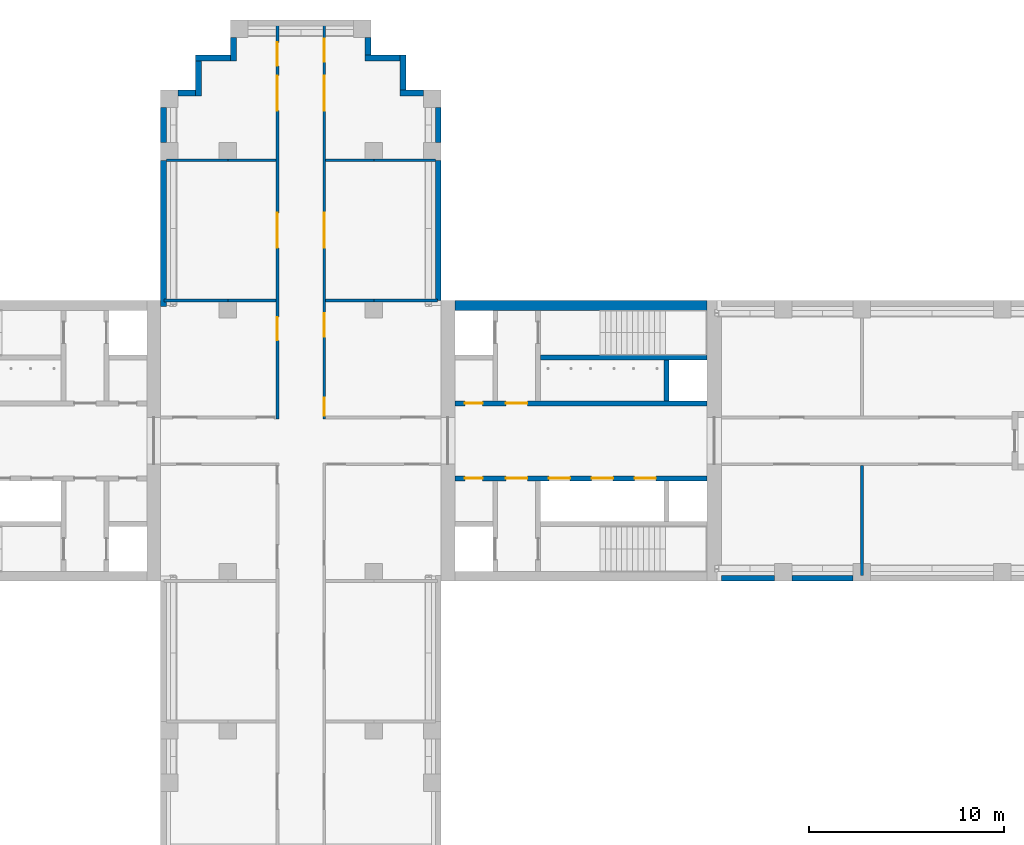
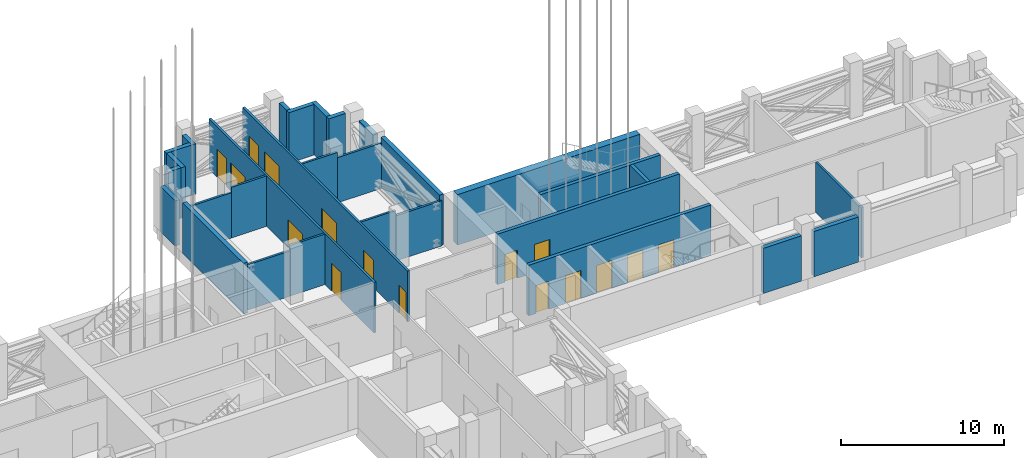
# One storey, part 7 of 22: 30 walls, 16 doors, 16 openings.
"""IFC4 building model written with IfcOpenShell, lengths in metres."""

from ifc_helpers import new_model, si_unit, direction, frame, frame_2d, origin, place, context, subcontext, project, spatial, rectangle, extrude, material, layer, layer_set, type_object, element, fill, save


model = new_model("IFC4")

# Units and contexts
model_context = context("Model", 3, precision=1e-05, world=origin(), true_north=direction((0.0, 1.0)))
body_context = subcontext(model_context, "Body", "Model", "MODEL_VIEW")
ifc_project = project(units=[si_unit("LENGTHUNIT", "METRE"), si_unit("AREAUNIT", "SQUARE_METRE"), si_unit("VOLUMEUNIT", "CUBIC_METRE"), si_unit("PLANEANGLEUNIT", "RADIAN"), si_unit("MASSUNIT", "GRAM", prefix="KILO")], contexts=[model_context])

# Site, building, storey
site_placement = place(None, origin())
site = spatial("IfcSite", under=ifc_project, at=site_placement, CompositionType="ELEMENT")
building_placement = place(site_placement, origin())
building = spatial("IfcBuilding", under=site, at=building_placement, Name="Fustian Cross Tower", CompositionType="ELEMENT")
storey_placement = place(building_placement, frame((0.0, 0.0, 111.89990234375)))
storey = spatial("IfcBuildingStorey", under=building, at=storey_placement, Name="L35", CompositionType="ELEMENT", Elevation=111.89990234375)

# Walls
ifc_material_1 = material(Name="Plasterboard on steel stud", Category="steel")
ifc_layer_1 = layer(ifc_material_1, 0.14990234375)
ifc_layer_set_1 = layer_set([ifc_layer_1], Name="Plasterboard on steel stud")
wall_type_1 = type_object("IfcWallType", Name="COMPARTMENT WALL 150 EI 60", PredefinedType="PARTITIONING", material=ifc_layer_set_1)
wall_1_placement = place(storey_placement, frame((-7.02001953125, 7.199951171875, 0.0), z_axis=(0.0, 0.0, 1.0), x_axis=(1.0, 0.0, 0.0)))
element("IfcWall", 1, at=wall_1_placement, inside=storey, type_object=wall_type_1, Name="Partition 12", PredefinedType="PARTITIONING", context=body_context, shape_type="SweptSolid", body=[
    extrude(rectangle(XDim=3.27001953125, YDim=0.14990234375, at=frame_2d((1.635009765625, 0.0))), origin(), (0.0, 0.0, 1.0), 3.400146484375),
])
wall_2_placement = place(storey_placement, frame((-6.89990234375, 14.39990234375, 0.0), z_axis=(0.0, 0.0, 1.0), x_axis=(1.0, 0.0, 0.0)))
element("IfcWall", 2, at=wall_2_placement, inside=storey, type_object=wall_type_1, Name="Partition 13", PredefinedType="PARTITIONING", context=body_context, shape_type="SweptSolid", body=[
    extrude(rectangle(XDim=3.14990234375, YDim=0.14990234375, at=frame_2d((1.574951171875, 0.0))), origin(), (0.0, 0.0, 1.0), 3.400146484375),
])

# Wall, openings, doors
wall_3_placement = place(storey_placement, frame((-1.199951171875, 1.125, 0.0), z_axis=(0.0, 0.0, 1.0), x_axis=(0.0, 1.0, 0.0)))
wall_3 = element("IfcWall", 3, at=wall_3_placement, inside=storey, type_object=wall_type_1, Name="Partition 15", PredefinedType="PARTITIONING", context=body_context, shape_type="SweptSolid", body=[
    extrude(rectangle(XDim=20.294921875, YDim=0.14990234375, at=frame_2d((10.1474609375, 0.0))), origin(), (0.0, 0.0, 1.0), 3.800048828125),
])
opening_1_placement = place(wall_3_placement, frame((4.02490234375, 0.0, 0.0)))
opening_1 = element("IfcOpeningElement", 4, at=opening_1_placement, cuts=wall_3, Name="Opening D16006", PredefinedType="OPENING", context=body_context, shape_type="SweptSolid", body=[
    extrude(rectangle(XDim=1.199951171875, YDim=2.10009765625, at=frame_2d((0.60009765625, 1.050048828125))), frame((0.0, 0.0849609375, 0.0), z_axis=(0.0, -1.0, 0.0), x_axis=(1.0, 0.0, 0.0)), (0.0, 0.0, 1.0), 0.169921875),
])
opening_2_placement = place(wall_3_placement, frame((8.77490234375, 0.0, 0.0)))
opening_2 = element("IfcOpeningElement", 5, at=opening_2_placement, cuts=wall_3, Name="Opening D16013", PredefinedType="OPENING", context=body_context, shape_type="SweptSolid", body=[
    extrude(rectangle(XDim=1.800048828125, YDim=2.10009765625, at=frame_2d((0.89990234375, 1.050048828125))), frame((0.0, 0.0849609375, 0.0), z_axis=(0.0, -1.0, 0.0), x_axis=(1.0, 0.0, 0.0)), (0.0, 0.0, 1.0), 0.169921875),
])
opening_3_placement = place(wall_3_placement, frame((15.824951171875, 0.0, 0.0)))
opening_3 = element("IfcOpeningElement", 6, at=opening_3_placement, cuts=wall_3, Name="Opening D16014", PredefinedType="OPENING", context=body_context, shape_type="SweptSolid", body=[
    extrude(rectangle(XDim=1.800048828125, YDim=2.10009765625, at=frame_2d((0.89990234375, 1.050048828125))), frame((0.0, 0.0849609375, 0.0), z_axis=(0.0, -1.0, 0.0), x_axis=(1.0, 0.0, 0.0)), (0.0, 0.0, 1.0), 0.169921875),
])
opening_4_placement = place(wall_3_placement, frame((18.125, 0.0, 0.0)))
opening_4 = element("IfcOpeningElement", 7, at=opening_4_placement, cuts=wall_3, Name="Opening D16015", PredefinedType="OPENING", context=body_context, shape_type="SweptSolid", body=[
    extrude(rectangle(XDim=1.199951171875, YDim=2.10009765625, at=frame_2d((0.60009765625, 1.050048828125))), frame((0.0, 0.0849609375, 0.0), z_axis=(0.0, -1.0, 0.0), x_axis=(1.0, 0.0, 0.0)), (0.0, 0.0, 1.0), 0.169921875),
])
ifc_material_2 = material(Name="Timber fire door set", Category="wood")
door_type_1 = type_object("IfcDoorType", Name="FIRE DOUBLE DOOR 1800 FD60S", OperationType="DOUBLE_DOOR_DOUBLE_SWING", PredefinedType="DOOR", material=ifc_material_2)
door_1_placement = place(opening_2_placement, frame((1.800048828125, 0.0, 0.0), z_axis=(0.0, 0.0, 1.0), x_axis=(-1.0, 0.0, 0.0)))
door_1 = element("IfcDoor", 8, at=door_1_placement, inside=storey, type_object=door_type_1, Name="Door D16013", OperationType="DOUBLE_DOOR_DOUBLE_SWING", OverallHeight=2.10009765625, OverallWidth=1.800048828125, PredefinedType="DOOR", context=body_context, shape_type="SweptSolid", body=[
    extrude(rectangle(XDim=1.800048828125, YDim=2.10009765625, at=frame_2d((0.89990234375, 1.050048828125))), frame((0.0, 0.02490234375, 0.0), z_axis=(0.0, -1.0, 0.0), x_axis=(1.0, 0.0, 0.0)), (0.0, 0.0, 1.0), 0.050048828125),
])
fill(opening_2, door_1)
door_2_placement = place(opening_3_placement, frame((1.800048828125, 0.0, 0.0), z_axis=(0.0, 0.0, 1.0), x_axis=(-1.0, 0.0, 0.0)))
door_2 = element("IfcDoor", 9, at=door_2_placement, inside=storey, type_object=door_type_1, Name="Door D16014", OperationType="DOUBLE_DOOR_DOUBLE_SWING", OverallHeight=2.10009765625, OverallWidth=1.800048828125, PredefinedType="DOOR", context=body_context, shape_type="SweptSolid", body=[
    extrude(rectangle(XDim=1.800048828125, YDim=2.10009765625, at=frame_2d((0.89990234375, 1.050048828125))), frame((0.0, 0.02490234375, 0.0), z_axis=(0.0, -1.0, 0.0), x_axis=(1.0, 0.0, 0.0)), (0.0, 0.0, 1.0), 0.050048828125),
])
fill(opening_3, door_2)
ifc_material_3 = material(Name="Timber fire door set", Category="wood")
door_type_2 = type_object("IfcDoorType", Name="FIRE SWING DOOR 1200 FD60S", OperationType="SINGLE_SWING_LEFT", PredefinedType="DOOR", material=ifc_material_3)
door_3_placement = place(opening_1_placement, origin())
door_3 = element("IfcDoor", 10, at=door_3_placement, inside=storey, type_object=door_type_2, Name="Door D16006", OperationType="SINGLE_SWING_RIGHT", OverallHeight=2.10009765625, OverallWidth=1.199951171875, PredefinedType="DOOR", context=body_context, shape_type="SweptSolid", body=[
    extrude(rectangle(XDim=1.199951171875, YDim=2.10009765625, at=frame_2d((0.60009765625, 1.050048828125))), frame((0.0, 0.02490234375, 0.0), z_axis=(0.0, -1.0, 0.0), x_axis=(1.0, 0.0, 0.0)), (0.0, 0.0, 1.0), 0.050048828125),
])
fill(opening_1, door_3)
door_4_placement = place(opening_4_placement, frame((1.199951171875, 0.0, 0.0), z_axis=(0.0, 0.0, 1.0), x_axis=(-1.0, 0.0, 0.0)))
door_4 = element("IfcDoor", 11, at=door_4_placement, inside=storey, type_object=door_type_2, Name="Door D16015", OperationType="SINGLE_SWING_LEFT", OverallHeight=2.10009765625, OverallWidth=1.199951171875, PredefinedType="DOOR", context=body_context, shape_type="SweptSolid", body=[
    extrude(rectangle(XDim=1.199951171875, YDim=2.10009765625, at=frame_2d((0.60009765625, 1.050048828125))), frame((0.0, 0.02490234375, 0.0), z_axis=(0.0, -1.0, 0.0), x_axis=(1.0, 0.0, 0.0)), (0.0, 0.0, 1.0), 0.050048828125),
])
fill(opening_4, door_4)

wall_4_placement = place(storey_placement, frame((1.199951171875, 1.125, 0.0), z_axis=(0.0, 0.0, 1.0), x_axis=(0.0, 1.0, 0.0)))
wall_4 = element("IfcWall", 12, at=wall_4_placement, inside=storey, type_object=wall_type_1, Name="Partition 22", PredefinedType="PARTITIONING", context=body_context, shape_type="SweptSolid", body=[
    extrude(rectangle(XDim=20.294921875, YDim=0.14990234375, at=frame_2d((10.1474609375, 0.0))), origin(), (0.0, 0.0, 1.0), 3.800048828125),
])
opening_5_placement = place(wall_4_placement, frame((0.175048828125, 0.0, 0.0)))
opening_5 = element("IfcOpeningElement", 13, at=opening_5_placement, cuts=wall_4, Name="Opening D16001", PredefinedType="OPENING", context=body_context, shape_type="SweptSolid", body=[
    extrude(rectangle(XDim=0.89990234375, YDim=2.10009765625, at=frame_2d((0.449951171875, 1.050048828125))), frame((0.0, 0.0849609375, 0.0), z_axis=(0.0, -1.0, 0.0), x_axis=(1.0, 0.0, 0.0)), (0.0, 0.0, 1.0), 0.169921875),
])
opening_6_placement = place(wall_4_placement, frame((4.22509765625, 0.0, 0.0)))
opening_6 = element("IfcOpeningElement", 14, at=opening_6_placement, cuts=wall_4, Name="Opening D16002", PredefinedType="OPENING", context=body_context, shape_type="SweptSolid", body=[
    extrude(rectangle(XDim=1.199951171875, YDim=2.10009765625, at=frame_2d((0.60009765625, 1.050048828125))), frame((0.0, 0.0849609375, 0.0), z_axis=(0.0, -1.0, 0.0), x_axis=(1.0, 0.0, 0.0)), (0.0, 0.0, 1.0), 0.169921875),
])
opening_7_placement = place(wall_4_placement, frame((8.77490234375, 0.0, 0.0)))
opening_7 = element("IfcOpeningElement", 15, at=opening_7_placement, cuts=wall_4, Name="Opening D16016", PredefinedType="OPENING", context=body_context, shape_type="SweptSolid", body=[
    extrude(rectangle(XDim=1.800048828125, YDim=2.10009765625, at=frame_2d((0.89990234375, 1.050048828125))), frame((0.0, 0.0849609375, 0.0), z_axis=(0.0, -1.0, 0.0), x_axis=(1.0, 0.0, 0.0)), (0.0, 0.0, 1.0), 0.169921875),
])
opening_8_placement = place(wall_4_placement, frame((15.824951171875, 0.0, 0.0)))
opening_8 = element("IfcOpeningElement", 16, at=opening_8_placement, cuts=wall_4, Name="Opening D16017", PredefinedType="OPENING", context=body_context, shape_type="SweptSolid", body=[
    extrude(rectangle(XDim=1.800048828125, YDim=2.10009765625, at=frame_2d((0.89990234375, 1.050048828125))), frame((0.0, 0.0849609375, 0.0), z_axis=(0.0, -1.0, 0.0), x_axis=(1.0, 0.0, 0.0)), (0.0, 0.0, 1.0), 0.169921875),
])
opening_9_placement = place(wall_4_placement, frame((18.324951171875, 0.0, 0.0)))
opening_9 = element("IfcOpeningElement", 17, at=opening_9_placement, cuts=wall_4, Name="Opening D16018", PredefinedType="OPENING", context=body_context, shape_type="SweptSolid", body=[
    extrude(rectangle(XDim=1.199951171875, YDim=2.10009765625, at=frame_2d((0.60009765625, 1.050048828125))), frame((0.0, 0.0849609375, 0.0), z_axis=(0.0, -1.0, 0.0), x_axis=(1.0, 0.0, 0.0)), (0.0, 0.0, 1.0), 0.169921875),
])
door_5_placement = place(opening_7_placement, origin())
door_5 = element("IfcDoor", 18, at=door_5_placement, inside=storey, type_object=door_type_1, Name="Door D16016", OperationType="DOUBLE_DOOR_DOUBLE_SWING", OverallHeight=2.10009765625, OverallWidth=1.800048828125, PredefinedType="DOOR", context=body_context, shape_type="SweptSolid", body=[
    extrude(rectangle(XDim=1.800048828125, YDim=2.10009765625, at=frame_2d((0.89990234375, 1.050048828125))), frame((0.0, 0.02490234375, 0.0), z_axis=(0.0, -1.0, 0.0), x_axis=(1.0, 0.0, 0.0)), (0.0, 0.0, 1.0), 0.050048828125),
])
fill(opening_7, door_5)
door_6_placement = place(opening_8_placement, origin())
door_6 = element("IfcDoor", 19, at=door_6_placement, inside=storey, type_object=door_type_1, Name="Door D16017", OperationType="DOUBLE_DOOR_DOUBLE_SWING", OverallHeight=2.10009765625, OverallWidth=1.800048828125, PredefinedType="DOOR", context=body_context, shape_type="SweptSolid", body=[
    extrude(rectangle(XDim=1.800048828125, YDim=2.10009765625, at=frame_2d((0.89990234375, 1.050048828125))), frame((0.0, 0.02490234375, 0.0), z_axis=(0.0, -1.0, 0.0), x_axis=(1.0, 0.0, 0.0)), (0.0, 0.0, 1.0), 0.050048828125),
])
fill(opening_8, door_6)
door_7_placement = place(opening_6_placement, origin())
door_7 = element("IfcDoor", 20, at=door_7_placement, inside=storey, type_object=door_type_2, Name="Door D16002", OperationType="SINGLE_SWING_RIGHT", OverallHeight=2.10009765625, OverallWidth=1.199951171875, PredefinedType="DOOR", context=body_context, shape_type="SweptSolid", body=[
    extrude(rectangle(XDim=1.199951171875, YDim=2.10009765625, at=frame_2d((0.60009765625, 1.050048828125))), frame((0.0, 0.02490234375, 0.0), z_axis=(0.0, -1.0, 0.0), x_axis=(1.0, 0.0, 0.0)), (0.0, 0.0, 1.0), 0.050048828125),
])
fill(opening_6, door_7)
door_8_placement = place(opening_9_placement, frame((1.199951171875, 0.0, 0.0), z_axis=(0.0, 0.0, 1.0), x_axis=(-1.0, 0.0, 0.0)))
door_8 = element("IfcDoor", 21, at=door_8_placement, inside=storey, type_object=door_type_2, Name="Door D16018", OperationType="SINGLE_SWING_LEFT", OverallHeight=2.10009765625, OverallWidth=1.199951171875, PredefinedType="DOOR", context=body_context, shape_type="SweptSolid", body=[
    extrude(rectangle(XDim=1.199951171875, YDim=2.10009765625, at=frame_2d((0.60009765625, 1.050048828125))), frame((0.0, 0.02490234375, 0.0), z_axis=(0.0, -1.0, 0.0), x_axis=(1.0, 0.0, 0.0)), (0.0, 0.0, 1.0), 0.050048828125),
])
fill(opening_9, door_8)
ifc_material_4 = material(Name="Timber fire door set", Category="wood")
door_type_3 = type_object("IfcDoorType", Name="FIRE SWING DOOR 900 FD30S", OperationType="SINGLE_SWING_LEFT", PredefinedType="DOOR", material=ifc_material_4)
door_9_placement = place(opening_5_placement, origin())
door_9 = element("IfcDoor", 22, at=door_9_placement, inside=storey, type_object=door_type_3, Name="Door D16001", OperationType="SINGLE_SWING_RIGHT", OverallHeight=2.10009765625, OverallWidth=0.89990234375, PredefinedType="DOOR", context=body_context, shape_type="SweptSolid", body=[
    extrude(rectangle(XDim=0.89990234375, YDim=2.10009765625, at=frame_2d((0.449951171875, 1.050048828125))), frame((0.0, 0.02490234375, 0.0), z_axis=(0.0, -1.0, 0.0), x_axis=(1.0, 0.0, 0.0)), (0.0, 0.0, 1.0), 0.050048828125),
])
fill(opening_5, door_9)

# Walls
for number, where, z_axis, x_axis, name in (
    (23, (1.27490234375, 7.199951171875, 0.0), (0.0, 0.0, 1.0), (1.0, 0.0, 0.0), "Partition 24"),
    (24, (1.27490234375, 14.39990234375, 0.0), (0.0, 0.0, 1.0), (1.0, 0.0, 0.0), "Partition 25"),
):
    element("IfcWall", number, at=place(storey_placement, frame(where, z_axis=z_axis, x_axis=x_axis)), inside=storey, type_object=wall_type_1, Name=name, PredefinedType="PARTITIONING", context=body_context, shape_type="SweptSolid", body=[
        extrude(rectangle(XDim=2.47509765625, YDim=0.14990234375, at=frame_2d((1.237548828125, 0.0))), origin(), (0.0, 0.0, 1.0), 3.800048828125),
    ])
wall_5_placement = place(storey_placement, frame((28.800048828125, -6.89990234375, 0.0), z_axis=(0.0, 0.0, 1.0), x_axis=(0.0, 1.0, 0.0)))
element("IfcWall", 25, at=wall_5_placement, inside=storey, type_object=wall_type_1, Name="Partition 28", PredefinedType="PARTITIONING", context=body_context, shape_type="SweptSolid", body=[
    extrude(rectangle(XDim=5.625, YDim=0.14990234375, at=frame_2d((2.8125, 0.0))), origin(), (0.0, 0.0, 1.0), 3.800048828125),
])
for number, where, z_axis, x_axis, name in (
    (26, (-3.75, 7.199951171875, 0.0), (0.0, 0.0, 1.0), (1.0, 0.0, 0.0), "Partition 12"),
    (27, (-3.75, 14.39990234375, 0.0), (0.0, 0.0, 1.0), (1.0, 0.0, 0.0), "Partition 13"),
):
    element("IfcWall", number, at=place(storey_placement, frame(where, z_axis=z_axis, x_axis=x_axis)), inside=storey, type_object=wall_type_1, Name=name, PredefinedType="PARTITIONING", context=body_context, shape_type="SweptSolid", body=[
        extrude(rectangle(XDim=2.47509765625, YDim=0.14990234375, at=frame_2d((1.237548828125, 0.0))), origin(), (0.0, 0.0, 1.0), 3.800048828125),
    ])
wall_6_placement = place(storey_placement, frame((3.75, 7.199951171875, 0.0), z_axis=(0.0, 0.0, 1.0), x_axis=(1.0, 0.0, 0.0)))
element("IfcWall", 28, at=wall_6_placement, inside=storey, type_object=wall_type_1, Name="Partition 24", PredefinedType="PARTITIONING", context=body_context, shape_type="SweptSolid", body=[
    extrude(rectangle(XDim=3.27001953125, YDim=0.14990234375, at=frame_2d((1.635009765625, 0.0))), origin(), (0.0, 0.0, 1.0), 3.400146484375),
])
wall_7_placement = place(storey_placement, frame((3.75, 14.39990234375, 0.0), z_axis=(0.0, 0.0, 1.0), x_axis=(1.0, 0.0, 0.0)))
element("IfcWall", 29, at=wall_7_placement, inside=storey, type_object=wall_type_1, Name="Partition 25", PredefinedType="PARTITIONING", context=body_context, shape_type="SweptSolid", body=[
    extrude(rectangle(XDim=3.14990234375, YDim=0.14990234375, at=frame_2d((1.574951171875, 0.0))), origin(), (0.0, 0.0, 1.0), 3.400146484375),
])
ifc_material_5 = material(Name="Concrete C70/85", Category="concrete")
ifc_layer_2 = layer(ifc_material_5, 0.5)
ifc_layer_set_2 = layer_set([ifc_layer_2], Name="Concrete C70/85")
wall_type_2 = type_object("IfcWallType", Name="CORE FACADE WALL 500 C70/85", PredefinedType="SHEAR", material=ifc_layer_set_2)
wall_8_placement = place(storey_placement, frame((7.89990234375, 6.949951171875, 0.0), z_axis=(0.0, 0.0, 1.0), x_axis=(1.0, 0.0, 0.0)))
element("IfcWall", 30, at=wall_8_placement, inside=storey, type_object=wall_type_2, Name="Core facade wall", PredefinedType="SHEAR", context=body_context, shape_type="SweptSolid", body=[
    extrude(rectangle(XDim=12.9501953125, YDim=0.5, at=frame_2d((6.47509765625, 0.0))), origin(), (0.0, 0.0, 1.0), 3.800048828125),
])

# Wall, openings, doors
ifc_material_6 = material(Name="Concrete C50/60", Category="concrete")
ifc_layer_3 = layer(ifc_material_6, 0.25)
ifc_layer_set_3 = layer_set([ifc_layer_3], Name="Concrete C50/60")
wall_type_3 = type_object("IfcWallType", Name="CORE LOBBY WALL 250 C50/60", PredefinedType="SHEAR", material=ifc_layer_set_3)
wall_9_placement = place(storey_placement, frame((7.89990234375, 1.925048828125, 0.0), z_axis=(0.0, 0.0, 1.0), x_axis=(1.0, 0.0, 0.0)))
wall_9 = element("IfcWall", 31, at=wall_9_placement, inside=storey, type_object=wall_type_3, Name="Core lobby wall", PredefinedType="SHEAR", context=body_context, shape_type="SweptSolid", body=[
    extrude(rectangle(XDim=12.9501953125, YDim=0.25, at=frame_2d((6.47509765625, 0.0))), origin(), (0.0, 0.0, 1.0), 3.800048828125),
])
opening_10_placement = place(wall_9_placement, frame((0.52490234375, 0.0, 0.0)))
opening_10 = element("IfcOpeningElement", 32, at=opening_10_placement, cuts=wall_9, Name="Opening CD-13-08", PredefinedType="OPENING", context=body_context, shape_type="SweptSolid", body=[
    extrude(rectangle(XDim=0.89990234375, YDim=2.10009765625, at=frame_2d((0.449951171875, 1.050048828125))), frame((0.0, 0.135009765625, 0.0), z_axis=(0.0, -1.0, 0.0), x_axis=(1.0, 0.0, 0.0)), (0.0, 0.0, 1.0), 0.27001953125),
])
opening_11_placement = place(wall_9_placement, frame((2.625, 0.0, 0.0)))
opening_11 = element("IfcOpeningElement", 33, at=opening_11_placement, cuts=wall_9, Name="Opening CD-13-10", PredefinedType="OPENING", context=body_context, shape_type="SweptSolid", body=[
    extrude(rectangle(XDim=1.10009765625, YDim=2.10009765625, at=frame_2d((0.550048828125, 1.050048828125))), frame((0.0, 0.135009765625, 0.0), z_axis=(0.0, -1.0, 0.0), x_axis=(1.0, 0.0, 0.0)), (0.0, 0.0, 1.0), 0.27001953125),
])
ifc_material_7 = material(Name="Steel", Category="steel")
door_type_4 = type_object("IfcDoorType", Name="FIRE DOOR FD60S 1100X2100", OperationType="SINGLE_SWING_LEFT", PredefinedType="DOOR", material=ifc_material_7)
door_10_placement = place(opening_11_placement, frame((1.10009765625, 0.0, 0.0), z_axis=(0.0, 0.0, 1.0), x_axis=(-1.0, 0.0, 0.0)))
door_10 = element("IfcDoor", 34, at=door_10_placement, inside=storey, type_object=door_type_4, Name="Core door CD-13-10", OperationType="SINGLE_SWING_RIGHT", OverallHeight=2.10009765625, OverallWidth=1.10009765625, PredefinedType="DOOR", context=body_context, shape_type="SweptSolid", body=[
    extrude(rectangle(XDim=1.10009765625, YDim=2.10009765625, at=frame_2d((0.550048828125, 1.050048828125))), frame((0.0, 0.02490234375, 0.0), z_axis=(0.0, -1.0, 0.0), x_axis=(1.0, 0.0, 0.0)), (0.0, 0.0, 1.0), 0.050048828125),
])
fill(opening_11, door_10)
ifc_material_8 = material(Name="Steel", Category="steel")
door_type_5 = type_object("IfcDoorType", Name="FIRE DOOR FD60S 900X2100", OperationType="SINGLE_SWING_LEFT", PredefinedType="DOOR", material=ifc_material_8)
door_11_placement = place(opening_10_placement, origin())
door_11 = element("IfcDoor", 35, at=door_11_placement, inside=storey, type_object=door_type_5, Name="Core door CD-13-08", OperationType="SINGLE_SWING_LEFT", OverallHeight=2.10009765625, OverallWidth=0.89990234375, PredefinedType="DOOR", context=body_context, shape_type="SweptSolid", body=[
    extrude(rectangle(XDim=0.89990234375, YDim=2.10009765625, at=frame_2d((0.449951171875, 1.050048828125))), frame((0.0, 0.02490234375, 0.0), z_axis=(0.0, -1.0, 0.0), x_axis=(1.0, 0.0, 0.0)), (0.0, 0.0, 1.0), 0.050048828125),
])
fill(opening_10, door_11)

wall_10_placement = place(storey_placement, frame((7.89990234375, -1.925048828125, 0.0), z_axis=(0.0, 0.0, 1.0), x_axis=(1.0, 0.0, 0.0)))
wall_10 = element("IfcWall", 36, at=wall_10_placement, inside=storey, type_object=wall_type_3, Name="Core lobby wall", PredefinedType="SHEAR", context=body_context, shape_type="SweptSolid", body=[
    extrude(rectangle(XDim=12.9501953125, YDim=0.25, at=frame_2d((6.47509765625, 0.0))), origin(), (0.0, 0.0, 1.0), 3.800048828125),
])
opening_12_placement = place(wall_10_placement, frame((4.824951171875, 0.0, 0.0)))
opening_12 = element("IfcOpeningElement", 37, at=opening_12_placement, cuts=wall_10, Name="Opening LD", PredefinedType="OPENING", context=body_context, shape_type="SweptSolid", body=[
    extrude(rectangle(XDim=1.10009765625, YDim=2.10009765625, at=frame_2d((0.550048828125, 1.050048828125))), frame((0.0, 0.135009765625, 0.0), z_axis=(0.0, -1.0, 0.0), x_axis=(1.0, 0.0, 0.0)), (0.0, 0.0, 1.0), 0.27001953125),
])
opening_13_placement = place(wall_10_placement, frame((7.02490234375, 0.0, 0.0)))
opening_13 = element("IfcOpeningElement", 38, at=opening_13_placement, cuts=wall_10, Name="Opening LD", PredefinedType="OPENING", context=body_context, shape_type="SweptSolid", body=[
    extrude(rectangle(XDim=1.10009765625, YDim=2.10009765625, at=frame_2d((0.550048828125, 1.050048828125))), frame((0.0, 0.135009765625, 0.0), z_axis=(0.0, -1.0, 0.0), x_axis=(1.0, 0.0, 0.0)), (0.0, 0.0, 1.0), 0.27001953125),
])
opening_14_placement = place(wall_10_placement, frame((9.22509765625, 0.0, 0.0)))
opening_14 = element("IfcOpeningElement", 39, at=opening_14_placement, cuts=wall_10, Name="Opening LD", PredefinedType="OPENING", context=body_context, shape_type="SweptSolid", body=[
    extrude(rectangle(XDim=1.10009765625, YDim=2.10009765625, at=frame_2d((0.550048828125, 1.050048828125))), frame((0.0, 0.135009765625, 0.0), z_axis=(0.0, -1.0, 0.0), x_axis=(1.0, 0.0, 0.0)), (0.0, 0.0, 1.0), 0.27001953125),
])
opening_15_placement = place(wall_10_placement, frame((0.52490234375, 0.0, 0.0)))
opening_15 = element("IfcOpeningElement", 40, at=opening_15_placement, cuts=wall_10, Name="Opening CD-13-09", PredefinedType="OPENING", context=body_context, shape_type="SweptSolid", body=[
    extrude(rectangle(XDim=0.89990234375, YDim=2.10009765625, at=frame_2d((0.449951171875, 1.050048828125))), frame((0.0, 0.135009765625, 0.0), z_axis=(0.0, -1.0, 0.0), x_axis=(1.0, 0.0, 0.0)), (0.0, 0.0, 1.0), 0.27001953125),
])
opening_16_placement = place(wall_10_placement, frame((2.625, 0.0, 0.0)))
opening_16 = element("IfcOpeningElement", 41, at=opening_16_placement, cuts=wall_10, Name="Opening CD-13-11", PredefinedType="OPENING", context=body_context, shape_type="SweptSolid", body=[
    extrude(rectangle(XDim=1.10009765625, YDim=2.10009765625, at=frame_2d((0.550048828125, 1.050048828125))), frame((0.0, 0.135009765625, 0.0), z_axis=(0.0, -1.0, 0.0), x_axis=(1.0, 0.0, 0.0)), (0.0, 0.0, 1.0), 0.27001953125),
])
ifc_material_9 = material(Name="Steel", Category="steel")
door_type_6 = type_object("IfcDoorType", Name="FIRE DOOR FD30S 1100X2100", OperationType="SINGLE_SWING_LEFT", PredefinedType="DOOR", material=ifc_material_9)
door_12_placement = place(opening_16_placement, frame((1.10009765625, 0.0, 0.0), z_axis=(0.0, 0.0, 1.0), x_axis=(-1.0, 0.0, 0.0)))
door_12 = element("IfcDoor", 42, at=door_12_placement, inside=storey, type_object=door_type_6, Name="Core door CD-13-11", OperationType="SINGLE_SWING_RIGHT", OverallHeight=2.10009765625, OverallWidth=1.10009765625, PredefinedType="DOOR", context=body_context, shape_type="SweptSolid", body=[
    extrude(rectangle(XDim=1.10009765625, YDim=2.10009765625, at=frame_2d((0.550048828125, 1.050048828125))), frame((0.0, 0.02490234375, 0.0), z_axis=(0.0, -1.0, 0.0), x_axis=(1.0, 0.0, 0.0)), (0.0, 0.0, 1.0), 0.050048828125),
])
fill(opening_16, door_12)
ifc_material_10 = material(Name="Steel", Category="steel")
door_type_7 = type_object("IfcDoorType", Name="FIRE DOOR FD30S 900X2100", OperationType="SINGLE_SWING_LEFT", PredefinedType="DOOR", material=ifc_material_10)
door_13_placement = place(opening_15_placement, frame((0.89990234375, 0.0, 0.0), z_axis=(0.0, 0.0, 1.0), x_axis=(-1.0, 0.0, 0.0)))
door_13 = element("IfcDoor", 43, at=door_13_placement, inside=storey, type_object=door_type_7, Name="Core door CD-13-09", OperationType="SINGLE_SWING_RIGHT", OverallHeight=2.10009765625, OverallWidth=0.89990234375, PredefinedType="DOOR", context=body_context, shape_type="SweptSolid", body=[
    extrude(rectangle(XDim=0.89990234375, YDim=2.10009765625, at=frame_2d((0.449951171875, 1.050048828125))), frame((0.0, 0.02490234375, 0.0), z_axis=(0.0, -1.0, 0.0), x_axis=(1.0, 0.0, 0.0)), (0.0, 0.0, 1.0), 0.050048828125),
])
fill(opening_15, door_13)
ifc_material_11 = material(Name="Stainless steel", Category="steel")
door_type_8 = type_object("IfcDoorType", Name="LIFT LANDING DOOR 1100X2100", OperationType="SLIDING_TO_LEFT", PredefinedType="DOOR", material=ifc_material_11)
door_14_placement = place(opening_12_placement, origin())
door_14 = element("IfcDoor", 44, at=door_14_placement, inside=storey, type_object=door_type_8, Name="Landing door LR1", OperationType="SLIDING_TO_LEFT", OverallHeight=2.10009765625, OverallWidth=1.10009765625, PredefinedType="DOOR", context=body_context, shape_type="SweptSolid", body=[
    extrude(rectangle(XDim=1.10009765625, YDim=2.10009765625, at=frame_2d((0.550048828125, 1.050048828125))), frame((0.0, 0.02490234375, 0.0), z_axis=(0.0, -1.0, 0.0), x_axis=(1.0, 0.0, 0.0)), (0.0, 0.0, 1.0), 0.050048828125),
])
fill(opening_12, door_14)
door_15_placement = place(opening_13_placement, origin())
door_15 = element("IfcDoor", 45, at=door_15_placement, inside=storey, type_object=door_type_8, Name="Landing door LR2", OperationType="SLIDING_TO_LEFT", OverallHeight=2.10009765625, OverallWidth=1.10009765625, PredefinedType="DOOR", context=body_context, shape_type="SweptSolid", body=[
    extrude(rectangle(XDim=1.10009765625, YDim=2.10009765625, at=frame_2d((0.550048828125, 1.050048828125))), frame((0.0, 0.02490234375, 0.0), z_axis=(0.0, -1.0, 0.0), x_axis=(1.0, 0.0, 0.0)), (0.0, 0.0, 1.0), 0.050048828125),
])
fill(opening_13, door_15)
door_16_placement = place(opening_14_placement, origin())
door_16 = element("IfcDoor", 46, at=door_16_placement, inside=storey, type_object=door_type_8, Name="Landing door LR3", OperationType="SLIDING_TO_LEFT", OverallHeight=2.10009765625, OverallWidth=1.10009765625, PredefinedType="DOOR", context=body_context, shape_type="SweptSolid", body=[
    extrude(rectangle(XDim=1.10009765625, YDim=2.10009765625, at=frame_2d((0.550048828125, 1.050048828125))), frame((0.0, 0.02490234375, 0.0), z_axis=(0.0, -1.0, 0.0), x_axis=(1.0, 0.0, 0.0)), (0.0, 0.0, 1.0), 0.050048828125),
])
fill(opening_14, door_16)

# Walls
ifc_material_12 = material(Name="Concrete C50/60", Category="concrete")
ifc_layer_4 = layer(ifc_material_12, 0.25)
ifc_layer_set_4 = layer_set([ifc_layer_4], Name="Concrete C50/60")
wall_type_4 = type_object("IfcWallType", Name="CORE SHAFT WALL 250 C50/60", PredefinedType="SHEAR", material=ifc_layer_set_4)
wall_11_placement = place(storey_placement, frame((12.300048828125, 4.27490234375, 0.0), z_axis=(0.0, 0.0, 1.0), x_axis=(1.0, 0.0, 0.0)))
element("IfcWall", 47, at=wall_11_placement, inside=storey, type_object=wall_type_4, Name="Core shaft wall", PredefinedType="SHEAR", context=body_context, shape_type="SweptSolid", body=[
    extrude(rectangle(XDim=8.550048828125, YDim=0.25, at=frame_2d((4.27490234375, 0.0))), origin(), (0.0, 0.0, 1.0), 3.800048828125),
])
ifc_material_13 = material(Name="Concrete C40/50", Category="concrete")
ifc_layer_5 = layer(ifc_material_13, 0.25)
ifc_layer_set_5 = layer_set([ifc_layer_5], Name="Concrete C40/50")
wall_type_5 = type_object("IfcWallType", Name="SHAFT PARTITION WALL 250 C40/50", PredefinedType="PARTITIONING", material=ifc_layer_set_5)
wall_12_placement = place(storey_placement, frame((18.77490234375, 2.050048828125, 0.0), z_axis=(0.0, 0.0, 1.0), x_axis=(0.0, 1.0, 0.0)))
element("IfcWall", 48, at=wall_12_placement, inside=storey, type_object=wall_type_5, Name="Core shaft wall", PredefinedType="PARTITIONING", context=body_context, shape_type="SweptSolid", body=[
    extrude(rectangle(XDim=2.099853515625, YDim=0.25, at=frame_2d((1.0498046875, 0.0))), origin(), (0.0, 0.0, 1.0), 3.800048828125),
])
ifc_material_14 = material(Name="Dark aluminium louvres on insulated backing wall", Category="aluminium")
ifc_layer_6 = layer(ifc_material_14, 0.300048828125)
ifc_layer_set_6 = layer_set([ifc_layer_6], Name="Dark aluminium louvres on insulated backing wall")
wall_type_6 = type_object("IfcWallType", Name="XW2 LOUVRED PLANT WALL 300", PredefinedType="SOLIDWALL", material=ifc_layer_set_6)
wall_13_placement = place(storey_placement, frame((21.60009765625, -7.050048828125, 0.0), z_axis=(0.0, 0.0, 1.0), x_axis=(1.0, 0.0, 0.0)))
element("IfcWall", 49, at=wall_13_placement, inside=storey, type_object=wall_type_6, Name="Plant louvre wall", PredefinedType="SOLIDWALL", context=body_context, shape_type="SweptSolid", body=[
    extrude(rectangle(XDim=2.699951171875, YDim=0.300048828125, at=frame_2d((1.35009765625, 0.0))), origin(), (0.0, 0.0, 1.0), 3.400146484375),
])
wall_14_placement = place(storey_placement, frame((25.199951171875, -7.050048828125, 0.0), z_axis=(0.0, 0.0, 1.0), x_axis=(1.0, 0.0, 0.0)))
element("IfcWall", 50, at=wall_14_placement, inside=storey, type_object=wall_type_6, Name="Plant louvre wall", PredefinedType="SOLIDWALL", context=body_context, shape_type="SweptSolid", body=[
    extrude(rectangle(XDim=3.150146484375, YDim=0.300048828125, at=frame_2d((1.5751953125, 0.0))), origin(), (0.0, 0.0, 1.0), 3.400146484375),
])
wall_15_placement = place(storey_placement, frame((7.050048828125, 7.199951171875, 0.0), z_axis=(0.0, 0.0, 1.0), x_axis=(0.0, 1.0, 0.0)))
element("IfcWall", 51, at=wall_15_placement, inside=storey, type_object=wall_type_6, Name="Plant louvre wall", PredefinedType="SOLIDWALL", context=body_context, shape_type="SweptSolid", body=[
    extrude(rectangle(XDim=7.199951171875, YDim=0.300048828125, at=frame_2d((3.60009765625, 0.0))), origin(), (0.0, 0.0, 1.0), 3.800048828125),
])
wall_16_placement = place(storey_placement, frame((7.050048828125, 15.300048828125, 0.0), z_axis=(0.0, 0.0, 1.0), x_axis=(0.0, 1.0, 0.0)))
element("IfcWall", 52, at=wall_16_placement, inside=storey, type_object=wall_type_6, Name="Plant louvre wall", PredefinedType="SOLIDWALL", context=body_context, shape_type="SweptSolid", body=[
    extrude(rectangle(XDim=1.800048828125, YDim=0.300048828125, at=frame_2d((0.89990234375, 0.0))), origin(), (0.0, 0.0, 1.0), 3.400146484375),
])
wall_17_placement = place(storey_placement, frame((6.300048828125, 17.85009765625, 0.0), z_axis=(0.0, 0.0, 1.0), x_axis=(-1.0, 0.0, 0.0)))
element("IfcWall", 53, at=wall_17_placement, inside=storey, type_object=wall_type_6, Name="Plant louvre wall", PredefinedType="SOLIDWALL", context=body_context, shape_type="SweptSolid", body=[
    extrude(rectangle(XDim=1.199951171875, YDim=0.300048828125, at=frame_2d((0.60009765625, 0.0))), origin(), (0.0, 0.0, 1.0), 3.800048828125),
])
for number, where, z_axis, x_axis, name in (
    (54, (5.25, 18.0, 0.0), (0.0, 0.0, 1.0), (0.0, 1.0, 0.0), "Plant louvre wall"),
    (55, (5.10009765625, 19.64990234375, 0.0), (0.0, 0.0, 1.0), (-1.0, 0.0, 0.0), "Plant louvre wall"),
):
    element("IfcWall", number, at=place(storey_placement, frame(where, z_axis=z_axis, x_axis=x_axis)), inside=storey, type_object=wall_type_6, Name=name, PredefinedType="SOLIDWALL", context=body_context, shape_type="SweptSolid", body=[
        extrude(rectangle(XDim=1.800048828125, YDim=0.300048828125, at=frame_2d((0.89990234375, 0.0))), origin(), (0.0, 0.0, 1.0), 3.800048828125),
    ])
wall_18_placement = place(storey_placement, frame((3.449951171875, 19.800048828125, 0.0), z_axis=(0.0, 0.0, 1.0), x_axis=(0.0, 1.0, 0.0)))
element("IfcWall", 56, at=wall_18_placement, inside=storey, type_object=wall_type_6, Name="Plant louvre wall", PredefinedType="SOLIDWALL", context=body_context, shape_type="SweptSolid", body=[
    extrude(rectangle(XDim=0.89990234375, YDim=0.300048828125, at=frame_2d((0.449951171875, 0.0))), origin(), (0.0, 0.0, 1.0), 3.800048828125),
])
wall_19_placement = place(storey_placement, frame((-3.449951171875, 20.699951171875, 0.0), z_axis=(0.0, 0.0, 1.0), x_axis=(0.0, -1.0, 0.0)))
element("IfcWall", 57, at=wall_19_placement, inside=storey, type_object=wall_type_6, Name="Plant louvre wall", PredefinedType="SOLIDWALL", context=body_context, shape_type="SweptSolid", body=[
    extrude(rectangle(XDim=1.199951171875, YDim=0.300048828125, at=frame_2d((0.60009765625, 0.0))), origin(), (0.0, 0.0, 1.0), 3.800048828125),
])
wall_20_placement = place(storey_placement, frame((-3.60009765625, 19.64990234375, 0.0), z_axis=(0.0, 0.0, 1.0), x_axis=(-1.0, 0.0, 0.0)))
element("IfcWall", 58, at=wall_20_placement, inside=storey, type_object=wall_type_6, Name="Plant louvre wall", PredefinedType="SOLIDWALL", context=body_context, shape_type="SweptSolid", body=[
    extrude(rectangle(XDim=1.7998046875, YDim=0.300048828125, at=frame_2d((0.89990234375, 0.0))), origin(), (0.0, 0.0, 1.0), 3.800048828125),
])
wall_21_placement = place(storey_placement, frame((-5.25, 19.5, 0.0), z_axis=(0.0, 0.0, 1.0), x_axis=(0.0, -1.0, 0.0)))
element("IfcWall", 59, at=wall_21_placement, inside=storey, type_object=wall_type_6, Name="Plant louvre wall", PredefinedType="SOLIDWALL", context=body_context, shape_type="SweptSolid", body=[
    extrude(rectangle(XDim=1.800048828125, YDim=0.300048828125, at=frame_2d((0.89990234375, 0.0))), origin(), (0.0, 0.0, 1.0), 3.800048828125),
])
wall_22_placement = place(storey_placement, frame((-5.39990234375, 17.85009765625, 0.0), z_axis=(0.0, 0.0, 1.0), x_axis=(-1.0, 0.0, 0.0)))
element("IfcWall", 60, at=wall_22_placement, inside=storey, type_object=wall_type_6, Name="Plant louvre wall", PredefinedType="SOLIDWALL", context=body_context, shape_type="SweptSolid", body=[
    extrude(rectangle(XDim=0.900146484375, YDim=0.300048828125, at=frame_2d((0.4501953125, 0.0))), origin(), (0.0, 0.0, 1.0), 3.800048828125),
])
wall_23_placement = place(storey_placement, frame((-7.050048828125, 17.10009765625, 0.0), z_axis=(0.0, 0.0, 1.0), x_axis=(0.0, -1.0, 0.0)))
element("IfcWall", 61, at=wall_23_placement, inside=storey, type_object=wall_type_6, Name="Plant louvre wall", PredefinedType="SOLIDWALL", context=body_context, shape_type="SweptSolid", body=[
    extrude(rectangle(XDim=1.800048828125, YDim=0.300048828125, at=frame_2d((0.89990234375, 0.0))), origin(), (0.0, 0.0, 1.0), 3.400146484375),
])
wall_24_placement = place(storey_placement, frame((-7.050048828125, 14.39990234375, 0.0), z_axis=(0.0, 0.0, 1.0), x_axis=(0.0, -1.0, 0.0)))
element("IfcWall", 62, at=wall_24_placement, inside=storey, type_object=wall_type_6, Name="Plant louvre wall", PredefinedType="SOLIDWALL", context=body_context, shape_type="SweptSolid", body=[
    extrude(rectangle(XDim=7.5, YDim=0.300048828125, at=frame_2d((3.75, 0.0))), origin(), (0.0, 0.0, 1.0), 3.800048828125),
])

save(model, "model.ifc")
